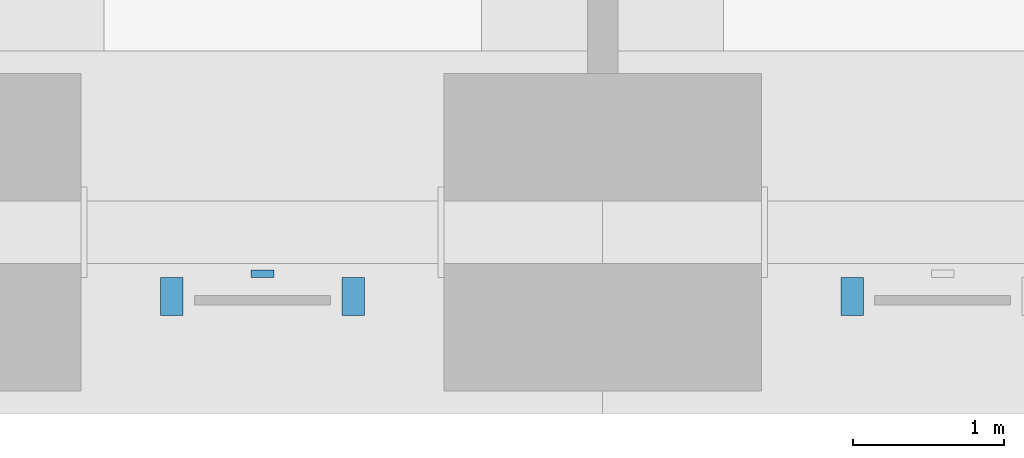
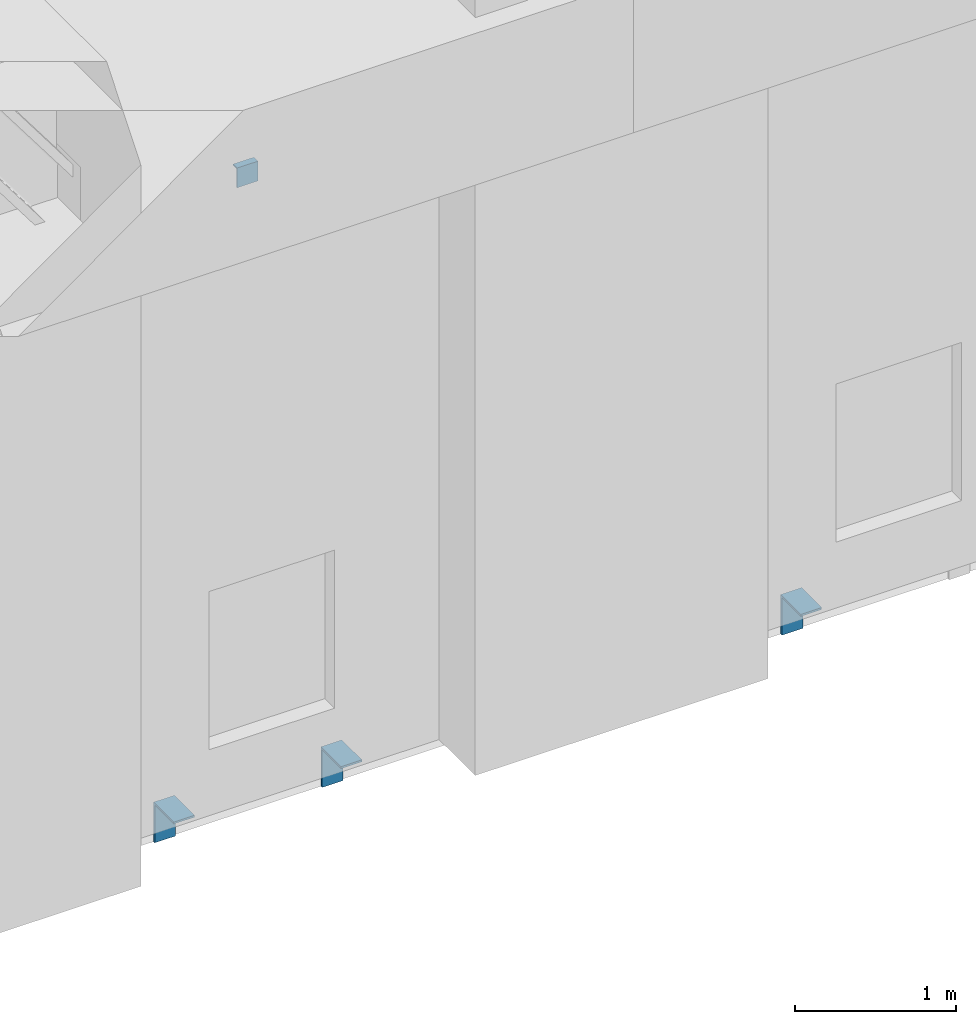
# One storey, part 10 of 17: 4 discrete accessories.
"""IFC4 building model written with IfcOpenShell, lengths in metres."""

from ifc_helpers import new_model, si_unit, direction, frame, origin, place, context, subcontext, project, spatial, polyline, outline, extrude, source, transform, mapped, material, layer, layer_set, type_object, element, save


model = new_model("IFC4")

# Units and contexts
model_context = context("Model", 3, precision=1e-05, world=origin(), true_north=direction((0.0, 1.0)))
body_context = subcontext(model_context, "Body", "Model", "MODEL_VIEW")
ifc_project = project(units=[si_unit("LENGTHUNIT", "METRE"), si_unit("AREAUNIT", "SQUARE_METRE"), si_unit("VOLUMEUNIT", "CUBIC_METRE"), si_unit("PLANEANGLEUNIT", "RADIAN"), si_unit("MASSUNIT", "GRAM", prefix="KILO")], contexts=[model_context])

# Site, building, storey
site_placement = place(None, origin())
site = spatial("IfcSite", under=ifc_project, at=site_placement, CompositionType="ELEMENT")
building_placement = place(site_placement, origin())
building = spatial("IfcBuilding", under=site, at=building_placement, Name="Kilele Tower Hotel", CompositionType="ELEMENT")
storey_placement = place(building_placement, frame((0.0, 0.0, 211.39990234375)))
storey = spatial("IfcBuildingStorey", under=building, at=storey_placement, Name="L55", CompositionType="ELEMENT", Elevation=211.39990234375)

# Discrete accessories
ifc_material_1 = material(Name="Hot-dip galvanized steel S355", Category="steel")
ifc_layer_1 = layer(ifc_material_1, 0.014892578125)
ifc_layer_set_1 = layer_set([ifc_layer_1], Name="Hot-dip galvanized steel S355")
discrete_accessory_type_1 = type_object("IfcDiscreteAccessoryType", Name="Facade panel bearing bracket 250x150x15", PredefinedType="BRACKET", material=ifc_layer_set_1)
shared_shape_1 = source(origin(), body_context, "Body", "SweptSolid", [
    extrude(outline(polyline([(0.0, 0.0), (0.25, 0.0), (0.25, -0.014892578125), (0.014892578125, -0.014892578125), (0.014892578125, -0.300048828125), (0.0, -0.300048828125), (0.0, 0.0)])), origin(), (0.0, 0.0, 1.0), 0.14990234375),
])
for number, where, z_axis, x_axis, name in (
    (1, (28.72509765625, -0.300048828125, 0.0), (-1.0, 0.0, 0.0), (0.0, -1.0, 0.0), "Facade panel bearing bracket L55"),
    (2, (29.925048828125, -0.300048828125, 0.0), (-1.0, 0.0, 0.0), (0.0, -1.0, 0.0), "Facade panel bearing bracket L55"),
    (3, (33.22509765625, -0.300048828125, 0.0), (-1.0, 0.0, 0.0), (0.0, -1.0, 0.0), "Facade panel bearing bracket L55"),
):
    element("IfcDiscreteAccessory", number, at=place(storey_placement, frame(where, z_axis=z_axis, x_axis=x_axis)), inside=storey, type_object=discrete_accessory_type_1, Name=name, PredefinedType="BRACKET", context=body_context, shape_type="MappedRepresentation", body=[
        mapped(shared_shape_1, transform((0.0, 0.0, 0.0))),
    ])
ifc_material_2 = material(Name="Hot-dip galvanized steel S355", Category="steel")
ifc_layer_2 = layer(ifc_material_2, 0.011962890625)
ifc_layer_set_2 = layer_set([ifc_layer_2], Name="Hot-dip galvanized steel S355")
discrete_accessory_type_2 = type_object("IfcDiscreteAccessoryType", Name="Facade panel restraint bracket 150x50x12", PredefinedType="BRACKET", material=ifc_layer_set_2)
shared_shape_2 = source(origin(), body_context, "Body", "SweptSolid", [
    extrude(outline(polyline([(0.0, 0.0), (0.0, -0.14990234375), (-0.011962890625, -0.14990234375), (-0.011962890625, -0.011962890625), (-0.050048828125, -0.011962890625), (-0.050048828125, 0.0), (0.0, 0.0)])), origin(), (0.0, 0.0, 1.0), 0.14990234375),
])
discrete_accessory_placement = place(storey_placement, frame((29.324951171875, -0.300048828125, 4.60009765625), z_axis=(-1.0, 0.0, 0.0), x_axis=(0.0, -1.0, 0.0)))
element("IfcDiscreteAccessory", 4, at=discrete_accessory_placement, inside=storey, type_object=discrete_accessory_type_2, Name="Facade panel restraint bracket L55", PredefinedType="BRACKET", context=body_context, shape_type="MappedRepresentation", body=[
    mapped(shared_shape_2, transform((0.0, 0.0, 0.0))),
])

save(model, "model.ifc")
